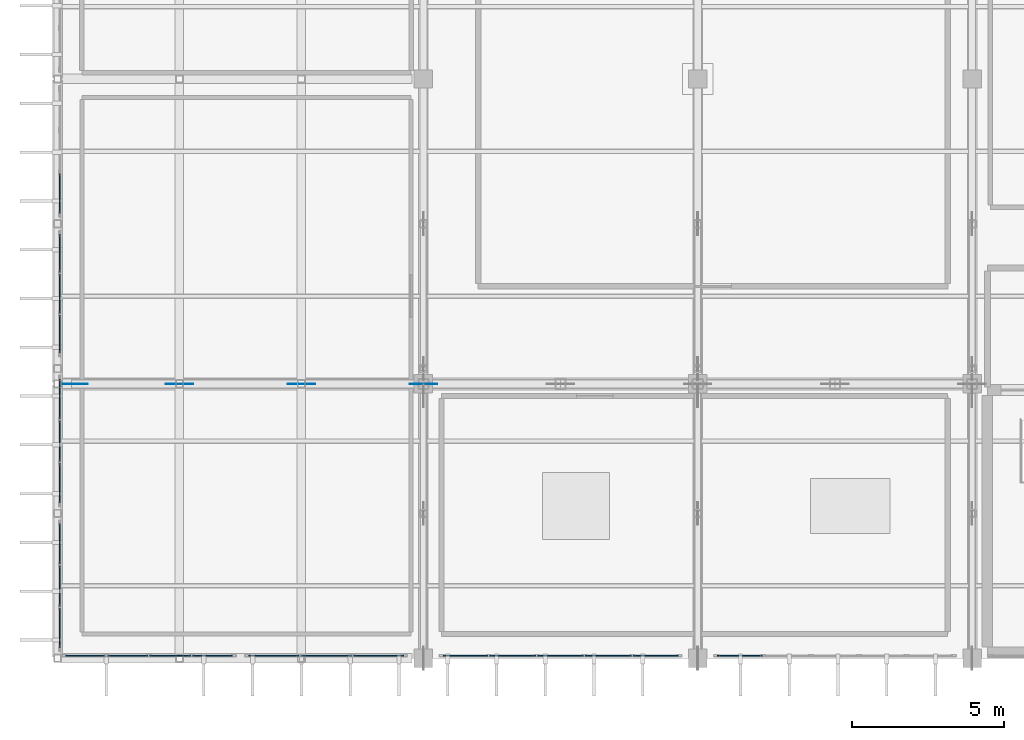
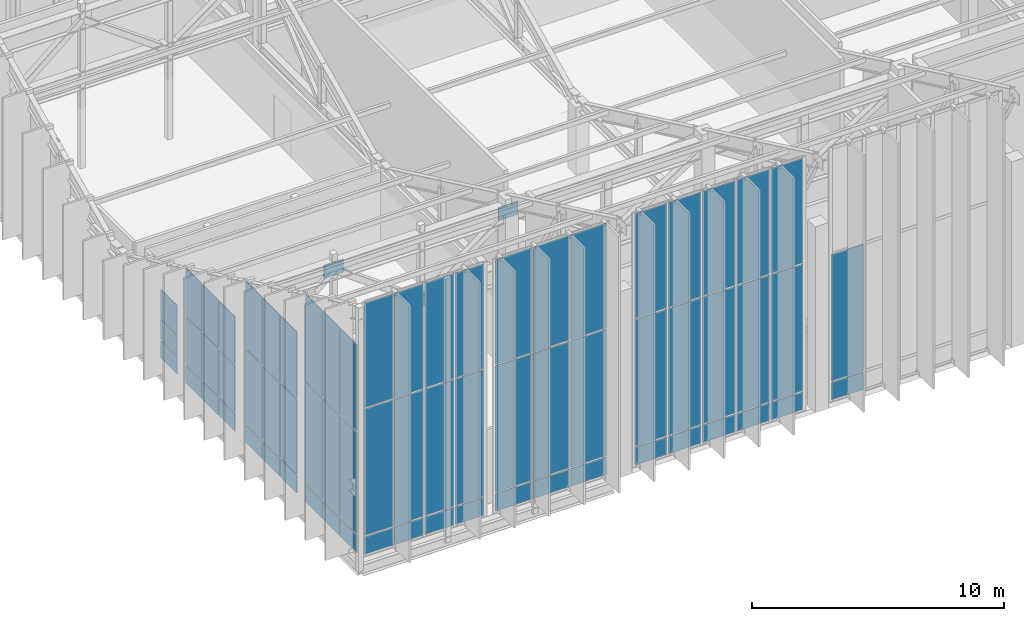
# One storey, part 48 of 68: 72 plates, 8 elements without a shape of their own.
"""IFC4 building model written with IfcOpenShell, lengths in metres."""

from ifc_helpers import new_model, si_unit, direction, frame, origin, origin_2d, place, context, subcontext, project, spatial, rectangle, extrude, material, layer, layer_set, type_object, element, aggregate, save


model = new_model("IFC4")

# Units and contexts
model_context = context("Model", 3, precision=1e-05, world=origin(), true_north=direction((0.0, 1.0)))
body_context = subcontext(model_context, "Body", "Model", "MODEL_VIEW")
ifc_project = project(units=[si_unit("LENGTHUNIT", "METRE"), si_unit("AREAUNIT", "SQUARE_METRE"), si_unit("VOLUMEUNIT", "CUBIC_METRE"), si_unit("PLANEANGLEUNIT", "RADIAN"), si_unit("MASSUNIT", "GRAM", prefix="KILO")], contexts=[model_context])

# Site, building, storey
site_placement = place(None, origin())
site = spatial("IfcSite", under=ifc_project, at=site_placement, CompositionType="ELEMENT")
building_placement = place(site_placement, origin())
building = spatial("IfcBuilding", under=site, at=building_placement, Name="Miravela Opera House", CompositionType="ELEMENT")
storey_placement = place(building_placement, frame((0.0, 0.0, 21.760009765625)))
storey = spatial("IfcBuildingStorey", under=building, at=storey_placement, Name="L05", CompositionType="ELEMENT", Elevation=21.760009765625)

# Curtain wall, plates
ifc_material_1 = material(Name="Anodised architectural bronze aluminium 6063-T6", Category="aluminium")
curtain_wall_type = type_object("IfcCurtainWallType", Name="ARC-CW-03", PredefinedType="NOTDEFINED", material=ifc_material_1)
curtain_wall_1_placement = place(storey_placement, origin())
curtain_wall_1 = element("IfcCurtainWall", 1, at=curtain_wall_1_placement, inside=storey, type_object=curtain_wall_type, Name="Cantilever West Wrapper Glazing B1 CW-L05-047", PredefinedType="NOTDEFINED")
ifc_material_2 = material(Name="Triple-glazed acoustic laminated low-E glass", Category="glass")
ifc_layer_1 = layer(ifc_material_2, 0.035888671875)
ifc_layer_set_1 = layer_set([ifc_layer_1])
plate_type_1 = type_object("IfcPlateType", Name="ARC-CWP-36", PredefinedType="CURTAIN_PANEL", material=ifc_layer_set_1)
plate_1_placement = place(storey_placement, frame((15.080078125, 37.99462890625, 0.06494140625), z_axis=(0.0, 0.0, 1.0), x_axis=(0.0, 1.0, 0.0)))
plate_1 = element("IfcPlate", 2, at=plate_1_placement, type_object=plate_type_1, Name="CW-03 panel 1.1", PredefinedType="CURTAIN_PANEL", context=body_context, shape_type="SweptSolid", body=[
    extrude(rectangle(XDim=1.299072265625, YDim=0.035888671875, at=origin_2d()), origin(), (0.0, 0.0, 1.0), 0.8525390625),
])
plate_2_placement = place(storey_placement, frame((15.080078125, 37.99462890625, 0.982421875), z_axis=(0.0, 0.0, 1.0), x_axis=(0.0, 1.0, 0.0)))
plate_2 = element("IfcPlate", 3, at=plate_2_placement, type_object=plate_type_1, Name="CW-03 panel 1.2", PredefinedType="CURTAIN_PANEL", context=body_context, shape_type="SweptSolid", body=[
    extrude(rectangle(XDim=1.299072265625, YDim=0.035888671875, at=origin_2d()), origin(), (0.0, 0.0, 1.0), 4.896728515625),
])
plate_3_placement = place(storey_placement, frame((15.080078125, 37.99462890625, 5.9443359375), z_axis=(0.0, 0.0, 1.0), x_axis=(0.0, 1.0, 0.0)))
plate_3 = element("IfcPlate", 4, at=plate_3_placement, type_object=plate_type_1, Name="CW-03 panel 1.3", PredefinedType="CURTAIN_PANEL", context=body_context, shape_type="SweptSolid", body=[
    extrude(rectangle(XDim=1.299072265625, YDim=0.035888671875, at=origin_2d()), origin(), (0.0, 0.0, 1.0), 4.183349609375),
])
plate_4_placement = place(storey_placement, frame((15.080078125, 39.375, 0.06494140625), z_axis=(0.0, 0.0, 1.0), x_axis=(0.0, 1.0, 0.0)))
plate_4 = element("IfcPlate", 5, at=plate_4_placement, type_object=plate_type_1, Name="CW-03 panel 2.1", PredefinedType="CURTAIN_PANEL", context=body_context, shape_type="SweptSolid", body=[
    extrude(rectangle(XDim=1.331787109375, YDim=0.035888671875, at=origin_2d()), origin(), (0.0, 0.0, 1.0), 0.8525390625),
])
plate_5_placement = place(storey_placement, frame((15.080078125, 39.375, 0.982421875), z_axis=(0.0, 0.0, 1.0), x_axis=(0.0, 1.0, 0.0)))
plate_5 = element("IfcPlate", 6, at=plate_5_placement, type_object=plate_type_1, Name="CW-03 panel 2.2", PredefinedType="CURTAIN_PANEL", context=body_context, shape_type="SweptSolid", body=[
    extrude(rectangle(XDim=1.331787109375, YDim=0.035888671875, at=origin_2d()), origin(), (0.0, 0.0, 1.0), 4.896728515625),
])
plate_6_placement = place(storey_placement, frame((15.080078125, 39.375, 5.9443359375), z_axis=(0.0, 0.0, 1.0), x_axis=(0.0, 1.0, 0.0)))
plate_6 = element("IfcPlate", 7, at=plate_6_placement, type_object=plate_type_1, Name="CW-03 panel 2.3", PredefinedType="CURTAIN_PANEL", context=body_context, shape_type="SweptSolid", body=[
    extrude(rectangle(XDim=1.331787109375, YDim=0.035888671875, at=origin_2d()), origin(), (0.0, 0.0, 1.0), 4.183349609375),
])
plate_7_placement = place(storey_placement, frame((15.080078125, 40.75537109375, 0.06494140625), z_axis=(0.0, 0.0, 1.0), x_axis=(0.0, 1.0, 0.0)))
plate_7 = element("IfcPlate", 8, at=plate_7_placement, type_object=plate_type_1, Name="CW-03 panel 3.1", PredefinedType="CURTAIN_PANEL", context=body_context, shape_type="SweptSolid", body=[
    extrude(rectangle(XDim=1.299072265625, YDim=0.035888671875, at=origin_2d()), origin(), (0.0, 0.0, 1.0), 0.8525390625),
])
plate_8_placement = place(storey_placement, frame((15.080078125, 40.75537109375, 0.982421875), z_axis=(0.0, 0.0, 1.0), x_axis=(0.0, 1.0, 0.0)))
plate_8 = element("IfcPlate", 9, at=plate_8_placement, type_object=plate_type_1, Name="CW-03 panel 3.2", PredefinedType="CURTAIN_PANEL", context=body_context, shape_type="SweptSolid", body=[
    extrude(rectangle(XDim=1.299072265625, YDim=0.035888671875, at=origin_2d()), origin(), (0.0, 0.0, 1.0), 4.896728515625),
])
plate_9_placement = place(storey_placement, frame((15.080078125, 40.75537109375, 5.9443359375), z_axis=(0.0, 0.0, 1.0), x_axis=(0.0, 1.0, 0.0)))
plate_9 = element("IfcPlate", 10, at=plate_9_placement, type_object=plate_type_1, Name="CW-03 panel 3.3", PredefinedType="CURTAIN_PANEL", context=body_context, shape_type="SweptSolid", body=[
    extrude(rectangle(XDim=1.299072265625, YDim=0.035888671875, at=origin_2d()), origin(), (0.0, 0.0, 1.0), 4.183349609375),
])
aggregate(curtain_wall_1, [plate_1, plate_2, plate_3, plate_4, plate_5, plate_6, plate_7, plate_8, plate_9])

curtain_wall_2_placement = place(storey_placement, origin())
curtain_wall_2 = element("IfcCurtainWall", 11, at=curtain_wall_2_placement, inside=storey, type_object=curtain_wall_type, Name="Cantilever West Wrapper Glazing B2 CW-L05-048", PredefinedType="NOTDEFINED")
plate_10_placement = place(storey_placement, frame((15.080078125, 42.74462890625, 0.06494140625), z_axis=(0.0, 0.0, 1.0), x_axis=(0.0, 1.0, 0.0)))
plate_10 = element("IfcPlate", 12, at=plate_10_placement, type_object=plate_type_1, Name="CW-03 panel 1.1", PredefinedType="CURTAIN_PANEL", context=body_context, shape_type="SweptSolid", body=[
    extrude(rectangle(XDim=1.299072265625, YDim=0.035888671875, at=origin_2d()), origin(), (0.0, 0.0, 1.0), 0.8525390625),
])
plate_11_placement = place(storey_placement, frame((15.080078125, 42.74462890625, 0.982421875), z_axis=(0.0, 0.0, 1.0), x_axis=(0.0, 1.0, 0.0)))
plate_11 = element("IfcPlate", 13, at=plate_11_placement, type_object=plate_type_1, Name="CW-03 panel 1.2", PredefinedType="CURTAIN_PANEL", context=body_context, shape_type="SweptSolid", body=[
    extrude(rectangle(XDim=1.299072265625, YDim=0.035888671875, at=origin_2d()), origin(), (0.0, 0.0, 1.0), 3.591796875),
])
plate_12_placement = place(storey_placement, frame((15.080078125, 42.74462890625, 4.63916015625), z_axis=(0.0, 0.0, 1.0), x_axis=(0.0, 1.0, 0.0)))
plate_12 = element("IfcPlate", 14, at=plate_12_placement, type_object=plate_type_1, Name="CW-03 panel 1.3", PredefinedType="CURTAIN_PANEL", context=body_context, shape_type="SweptSolid", body=[
    extrude(rectangle(XDim=1.299072265625, YDim=0.035888671875, at=origin_2d()), origin(), (0.0, 0.0, 1.0), 3.23828125),
])
plate_13_placement = place(storey_placement, frame((15.080078125, 44.125, 0.06494140625), z_axis=(0.0, 0.0, 1.0), x_axis=(0.0, 1.0, 0.0)))
plate_13 = element("IfcPlate", 15, at=plate_13_placement, type_object=plate_type_1, Name="CW-03 panel 2.1", PredefinedType="CURTAIN_PANEL", context=body_context, shape_type="SweptSolid", body=[
    extrude(rectangle(XDim=1.331787109375, YDim=0.035888671875, at=origin_2d()), origin(), (0.0, 0.0, 1.0), 0.8525390625),
])
plate_14_placement = place(storey_placement, frame((15.080078125, 44.125, 0.982421875), z_axis=(0.0, 0.0, 1.0), x_axis=(0.0, 1.0, 0.0)))
plate_14 = element("IfcPlate", 16, at=plate_14_placement, type_object=plate_type_1, Name="CW-03 panel 2.2", PredefinedType="CURTAIN_PANEL", context=body_context, shape_type="SweptSolid", body=[
    extrude(rectangle(XDim=1.331787109375, YDim=0.035888671875, at=origin_2d()), origin(), (0.0, 0.0, 1.0), 3.591796875),
])
plate_15_placement = place(storey_placement, frame((15.080078125, 44.125, 4.63916015625), z_axis=(0.0, 0.0, 1.0), x_axis=(0.0, 1.0, 0.0)))
plate_15 = element("IfcPlate", 17, at=plate_15_placement, type_object=plate_type_1, Name="CW-03 panel 2.3", PredefinedType="CURTAIN_PANEL", context=body_context, shape_type="SweptSolid", body=[
    extrude(rectangle(XDim=1.331787109375, YDim=0.035888671875, at=origin_2d()), origin(), (0.0, 0.0, 1.0), 3.23828125),
])
plate_16_placement = place(storey_placement, frame((15.080078125, 45.50537109375, 0.06494140625), z_axis=(0.0, 0.0, 1.0), x_axis=(0.0, 1.0, 0.0)))
plate_16 = element("IfcPlate", 18, at=plate_16_placement, type_object=plate_type_1, Name="CW-03 panel 3.1", PredefinedType="CURTAIN_PANEL", context=body_context, shape_type="SweptSolid", body=[
    extrude(rectangle(XDim=1.299072265625, YDim=0.035888671875, at=origin_2d()), origin(), (0.0, 0.0, 1.0), 0.8525390625),
])
plate_17_placement = place(storey_placement, frame((15.080078125, 45.50537109375, 0.982421875), z_axis=(0.0, 0.0, 1.0), x_axis=(0.0, 1.0, 0.0)))
plate_17 = element("IfcPlate", 19, at=plate_17_placement, type_object=plate_type_1, Name="CW-03 panel 3.2", PredefinedType="CURTAIN_PANEL", context=body_context, shape_type="SweptSolid", body=[
    extrude(rectangle(XDim=1.299072265625, YDim=0.035888671875, at=origin_2d()), origin(), (0.0, 0.0, 1.0), 3.591796875),
])
plate_18_placement = place(storey_placement, frame((15.080078125, 45.50537109375, 4.63916015625), z_axis=(0.0, 0.0, 1.0), x_axis=(0.0, 1.0, 0.0)))
plate_18 = element("IfcPlate", 20, at=plate_18_placement, type_object=plate_type_1, Name="CW-03 panel 3.3", PredefinedType="CURTAIN_PANEL", context=body_context, shape_type="SweptSolid", body=[
    extrude(rectangle(XDim=1.299072265625, YDim=0.035888671875, at=origin_2d()), origin(), (0.0, 0.0, 1.0), 3.23828125),
])
aggregate(curtain_wall_2, [plate_10, plate_11, plate_12, plate_13, plate_14, plate_15, plate_16, plate_17, plate_18])

curtain_wall_3_placement = place(storey_placement, origin())
curtain_wall_3 = element("IfcCurtainWall", 21, at=curtain_wall_3_placement, inside=storey, type_object=curtain_wall_type, Name="Cantilever West Wrapper Glazing B3 CW-L05-049", PredefinedType="NOTDEFINED")
plate_19_placement = place(storey_placement, frame((15.080078125, 47.63623046875, 0.06494140625), z_axis=(0.0, 0.0, 1.0), x_axis=(0.0, 1.0, 0.0)))
plate_19 = element("IfcPlate", 22, at=plate_19_placement, type_object=plate_type_1, Name="CW-03 panel 1.1", PredefinedType="CURTAIN_PANEL", context=body_context, shape_type="SweptSolid", body=[
    extrude(rectangle(XDim=1.242431640625, YDim=0.035888671875, at=origin_2d()), origin(), (0.0, 0.0, 1.0), 0.8525390625),
])
plate_20_placement = place(storey_placement, frame((15.080078125, 47.63623046875, 0.982421875), z_axis=(0.0, 0.0, 1.0), x_axis=(0.0, 1.0, 0.0)))
plate_20 = element("IfcPlate", 23, at=plate_20_placement, type_object=plate_type_1, Name="CW-03 panel 1.2", PredefinedType="CURTAIN_PANEL", context=body_context, shape_type="SweptSolid", body=[
    extrude(rectangle(XDim=1.242431640625, YDim=0.035888671875, at=origin_2d()), origin(), (0.0, 0.0, 1.0), 2.28662109375),
])
plate_21_placement = place(storey_placement, frame((15.080078125, 47.63623046875, 3.334228515625), z_axis=(0.0, 0.0, 1.0), x_axis=(0.0, 1.0, 0.0)))
plate_21 = element("IfcPlate", 24, at=plate_21_placement, type_object=plate_type_1, Name="CW-03 panel 1.3", PredefinedType="CURTAIN_PANEL", context=body_context, shape_type="SweptSolid", body=[
    extrude(rectangle(XDim=1.242431640625, YDim=0.035888671875, at=origin_2d()), origin(), (0.0, 0.0, 1.0), 2.29345703125),
])
plate_22_placement = place(storey_placement, frame((15.080078125, 48.9599609375, 0.06494140625), z_axis=(0.0, 0.0, 1.0), x_axis=(0.0, 1.0, 0.0)))
plate_22 = element("IfcPlate", 25, at=plate_22_placement, type_object=plate_type_1, Name="CW-03 panel 2.1", PredefinedType="CURTAIN_PANEL", context=body_context, shape_type="SweptSolid", body=[
    extrude(rectangle(XDim=1.27490234375, YDim=0.035888671875, at=origin_2d()), origin(), (0.0, 0.0, 1.0), 0.8525390625),
])
plate_23_placement = place(storey_placement, frame((15.080078125, 48.9599609375, 0.982421875), z_axis=(0.0, 0.0, 1.0), x_axis=(0.0, 1.0, 0.0)))
plate_23 = element("IfcPlate", 26, at=plate_23_placement, type_object=plate_type_1, Name="CW-03 panel 2.2", PredefinedType="CURTAIN_PANEL", context=body_context, shape_type="SweptSolid", body=[
    extrude(rectangle(XDim=1.27490234375, YDim=0.035888671875, at=origin_2d()), origin(), (0.0, 0.0, 1.0), 2.28662109375),
])
plate_24_placement = place(storey_placement, frame((15.080078125, 48.9599609375, 3.334228515625), z_axis=(0.0, 0.0, 1.0), x_axis=(0.0, 1.0, 0.0)))
plate_24 = element("IfcPlate", 27, at=plate_24_placement, type_object=plate_type_1, Name="CW-03 panel 2.3", PredefinedType="CURTAIN_PANEL", context=body_context, shape_type="SweptSolid", body=[
    extrude(rectangle(XDim=1.27490234375, YDim=0.035888671875, at=origin_2d()), origin(), (0.0, 0.0, 1.0), 2.29345703125),
])
plate_25_placement = place(storey_placement, frame((15.080078125, 50.28369140625, 0.06494140625), z_axis=(0.0, 0.0, 1.0), x_axis=(0.0, 1.0, 0.0)))
plate_25 = element("IfcPlate", 28, at=plate_25_placement, type_object=plate_type_1, Name="CW-03 panel 3.1", PredefinedType="CURTAIN_PANEL", context=body_context, shape_type="SweptSolid", body=[
    extrude(rectangle(XDim=1.242431640625, YDim=0.035888671875, at=origin_2d()), origin(), (0.0, 0.0, 1.0), 0.8525390625),
])
plate_26_placement = place(storey_placement, frame((15.080078125, 50.28369140625, 0.982421875), z_axis=(0.0, 0.0, 1.0), x_axis=(0.0, 1.0, 0.0)))
plate_26 = element("IfcPlate", 29, at=plate_26_placement, type_object=plate_type_1, Name="CW-03 panel 3.2", PredefinedType="CURTAIN_PANEL", context=body_context, shape_type="SweptSolid", body=[
    extrude(rectangle(XDim=1.242431640625, YDim=0.035888671875, at=origin_2d()), origin(), (0.0, 0.0, 1.0), 2.28662109375),
])
plate_27_placement = place(storey_placement, frame((15.080078125, 50.28369140625, 3.334228515625), z_axis=(0.0, 0.0, 1.0), x_axis=(0.0, 1.0, 0.0)))
plate_27 = element("IfcPlate", 30, at=plate_27_placement, type_object=plate_type_1, Name="CW-03 panel 3.3", PredefinedType="CURTAIN_PANEL", context=body_context, shape_type="SweptSolid", body=[
    extrude(rectangle(XDim=1.242431640625, YDim=0.035888671875, at=origin_2d()), origin(), (0.0, 0.0, 1.0), 2.29345703125),
])
aggregate(curtain_wall_3, [plate_19, plate_20, plate_21, plate_22, plate_23, plate_24, plate_25, plate_26, plate_27])

curtain_wall_4_placement = place(storey_placement, origin())
curtain_wall_4 = element("IfcCurtainWall", 31, at=curtain_wall_4_placement, inside=storey, type_object=curtain_wall_type, Name="Cantilever West Wrapper Glazing B4 CW-L05-050", PredefinedType="NOTDEFINED")
plate_28_placement = place(storey_placement, frame((15.080078125, 52.24462890625, 0.06494140625), z_axis=(0.0, 0.0, 1.0), x_axis=(0.0, 1.0, 0.0)))
plate_28 = element("IfcPlate", 32, at=plate_28_placement, type_object=plate_type_1, Name="CW-03 panel 1.1", PredefinedType="CURTAIN_PANEL", context=body_context, shape_type="SweptSolid", body=[
    extrude(rectangle(XDim=1.299072265625, YDim=0.035888671875, at=origin_2d()), origin(), (0.0, 0.0, 1.0), 0.8525390625),
])
plate_29_placement = place(storey_placement, frame((15.080078125, 52.24462890625, 0.982421875), z_axis=(0.0, 0.0, 1.0), x_axis=(0.0, 1.0, 0.0)))
plate_29 = element("IfcPlate", 33, at=plate_29_placement, type_object=plate_type_1, Name="CW-03 panel 1.2", PredefinedType="CURTAIN_PANEL", context=body_context, shape_type="SweptSolid", body=[
    extrude(rectangle(XDim=1.299072265625, YDim=0.035888671875, at=origin_2d()), origin(), (0.0, 0.0, 1.0), 0.981689453125),
])
plate_30_placement = place(storey_placement, frame((15.080078125, 52.24462890625, 2.029296875), z_axis=(0.0, 0.0, 1.0), x_axis=(0.0, 1.0, 0.0)))
plate_30 = element("IfcPlate", 34, at=plate_30_placement, type_object=plate_type_1, Name="CW-03 panel 1.3", PredefinedType="CURTAIN_PANEL", context=body_context, shape_type="SweptSolid", body=[
    extrude(rectangle(XDim=1.299072265625, YDim=0.035888671875, at=origin_2d()), origin(), (0.0, 0.0, 1.0), 1.348388671875),
])
aggregate(curtain_wall_4, [plate_28, plate_29, plate_30])

curtain_wall_5_placement = place(storey_placement, origin())
curtain_wall_5 = element("IfcCurtainWall", 35, at=curtain_wall_5_placement, inside=storey, type_object=curtain_wall_type, Name="Auditorium South Wrapper Glazing CW-L05-056", PredefinedType="NOTDEFINED")
plate_31_placement = place(storey_placement, frame((15.916259765625, 37.080078125, 0.06494140625), z_axis=(0.0, 0.0, 1.0), x_axis=(1.0, 0.0, 0.0)))
plate_31 = element("IfcPlate", 36, at=plate_31_placement, type_object=plate_type_1, Name="CW-03 panel 1.1", PredefinedType="CURTAIN_PANEL", context=body_context, shape_type="SweptSolid", body=[
    extrude(rectangle(XDim=1.302490234375, YDim=0.035888671875, at=origin_2d()), origin(), (0.0, 0.0, 1.0), 0.8525390625),
])
plate_32_placement = place(storey_placement, frame((15.916259765625, 37.080078125, 0.982421875), z_axis=(0.0, 0.0, 1.0), x_axis=(1.0, 0.0, 0.0)))
plate_32 = element("IfcPlate", 37, at=plate_32_placement, type_object=plate_type_1, Name="CW-03 panel 1.2", PredefinedType="CURTAIN_PANEL", context=body_context, shape_type="SweptSolid", body=[
    extrude(rectangle(XDim=1.302490234375, YDim=0.035888671875, at=origin_2d()), origin(), (0.0, 0.0, 1.0), 6.124755859375),
])
plate_33_placement = place(storey_placement, frame((15.916259765625, 37.080078125, 7.17236328125), z_axis=(0.0, 0.0, 1.0), x_axis=(1.0, 0.0, 0.0)))
plate_33 = element("IfcPlate", 38, at=plate_33_placement, type_object=plate_type_1, Name="CW-03 panel 1.3", PredefinedType="CURTAIN_PANEL", context=body_context, shape_type="SweptSolid", body=[
    extrude(rectangle(XDim=1.302490234375, YDim=0.035888671875, at=origin_2d()), origin(), (0.0, 0.0, 1.0), 5.07275390625),
])
plate_34_placement = place(storey_placement, frame((17.300048828125, 37.080078125, 0.06494140625), z_axis=(0.0, 0.0, 1.0), x_axis=(1.0, 0.0, 0.0)))
plate_34 = element("IfcPlate", 39, at=plate_34_placement, type_object=plate_type_1, Name="CW-03 panel 2.1", PredefinedType="CURTAIN_PANEL", context=body_context, shape_type="SweptSolid", body=[
    extrude(rectangle(XDim=1.3349609375, YDim=0.035888671875, at=origin_2d()), origin(), (0.0, 0.0, 1.0), 0.8525390625),
])
plate_35_placement = place(storey_placement, frame((17.300048828125, 37.080078125, 0.982421875), z_axis=(0.0, 0.0, 1.0), x_axis=(1.0, 0.0, 0.0)))
plate_35 = element("IfcPlate", 40, at=plate_35_placement, type_object=plate_type_1, Name="CW-03 panel 2.2", PredefinedType="CURTAIN_PANEL", context=body_context, shape_type="SweptSolid", body=[
    extrude(rectangle(XDim=1.3349609375, YDim=0.035888671875, at=origin_2d()), origin(), (0.0, 0.0, 1.0), 6.124755859375),
])
plate_36_placement = place(storey_placement, frame((17.300048828125, 37.080078125, 7.17236328125), z_axis=(0.0, 0.0, 1.0), x_axis=(1.0, 0.0, 0.0)))
plate_36 = element("IfcPlate", 41, at=plate_36_placement, type_object=plate_type_1, Name="CW-03 panel 2.3", PredefinedType="CURTAIN_PANEL", context=body_context, shape_type="SweptSolid", body=[
    extrude(rectangle(XDim=1.3349609375, YDim=0.035888671875, at=origin_2d()), origin(), (0.0, 0.0, 1.0), 5.07275390625),
])
plate_37_placement = place(storey_placement, frame((18.699951171875, 37.080078125, 0.06494140625), z_axis=(0.0, 0.0, 1.0), x_axis=(1.0, 0.0, 0.0)))
plate_37 = element("IfcPlate", 42, at=plate_37_placement, type_object=plate_type_1, Name="CW-03 panel 3.1", PredefinedType="CURTAIN_PANEL", context=body_context, shape_type="SweptSolid", body=[
    extrude(rectangle(XDim=1.3349609375, YDim=0.035888671875, at=origin_2d()), origin(), (0.0, 0.0, 1.0), 0.8525390625),
])
plate_38_placement = place(storey_placement, frame((18.699951171875, 37.080078125, 0.982421875), z_axis=(0.0, 0.0, 1.0), x_axis=(1.0, 0.0, 0.0)))
plate_38 = element("IfcPlate", 43, at=plate_38_placement, type_object=plate_type_1, Name="CW-03 panel 3.2", PredefinedType="CURTAIN_PANEL", context=body_context, shape_type="SweptSolid", body=[
    extrude(rectangle(XDim=1.3349609375, YDim=0.035888671875, at=origin_2d()), origin(), (0.0, 0.0, 1.0), 6.124755859375),
])
plate_39_placement = place(storey_placement, frame((18.699951171875, 37.080078125, 7.17236328125), z_axis=(0.0, 0.0, 1.0), x_axis=(1.0, 0.0, 0.0)))
plate_39 = element("IfcPlate", 44, at=plate_39_placement, type_object=plate_type_1, Name="CW-03 panel 3.3", PredefinedType="CURTAIN_PANEL", context=body_context, shape_type="SweptSolid", body=[
    extrude(rectangle(XDim=1.3349609375, YDim=0.035888671875, at=origin_2d()), origin(), (0.0, 0.0, 1.0), 5.07275390625),
])
plate_40_placement = place(storey_placement, frame((20.083740234375, 37.080078125, 0.06494140625), z_axis=(0.0, 0.0, 1.0), x_axis=(1.0, 0.0, 0.0)))
plate_40 = element("IfcPlate", 45, at=plate_40_placement, type_object=plate_type_1, Name="CW-03 panel 4.1", PredefinedType="CURTAIN_PANEL", context=body_context, shape_type="SweptSolid", body=[
    extrude(rectangle(XDim=1.302490234375, YDim=0.035888671875, at=origin_2d()), origin(), (0.0, 0.0, 1.0), 0.8525390625),
])
plate_41_placement = place(storey_placement, frame((20.083740234375, 37.080078125, 0.982421875), z_axis=(0.0, 0.0, 1.0), x_axis=(1.0, 0.0, 0.0)))
plate_41 = element("IfcPlate", 46, at=plate_41_placement, type_object=plate_type_1, Name="CW-03 panel 4.2", PredefinedType="CURTAIN_PANEL", context=body_context, shape_type="SweptSolid", body=[
    extrude(rectangle(XDim=1.302490234375, YDim=0.035888671875, at=origin_2d()), origin(), (0.0, 0.0, 1.0), 6.124755859375),
])
plate_42_placement = place(storey_placement, frame((20.083740234375, 37.080078125, 7.17236328125), z_axis=(0.0, 0.0, 1.0), x_axis=(1.0, 0.0, 0.0)))
plate_42 = element("IfcPlate", 47, at=plate_42_placement, type_object=plate_type_1, Name="CW-03 panel 4.3", PredefinedType="CURTAIN_PANEL", context=body_context, shape_type="SweptSolid", body=[
    extrude(rectangle(XDim=1.302490234375, YDim=0.035888671875, at=origin_2d()), origin(), (0.0, 0.0, 1.0), 5.07275390625),
])
aggregate(curtain_wall_5, [plate_31, plate_32, plate_33, plate_34, plate_35, plate_36, plate_37, plate_38, plate_39, plate_40, plate_41, plate_42])

curtain_wall_6_placement = place(storey_placement, origin())
curtain_wall_6 = element("IfcCurtainWall", 48, at=curtain_wall_6_placement, inside=storey, type_object=curtain_wall_type, Name="Auditorium South Wrapper Glazing CW-L05-058", PredefinedType="NOTDEFINED")
plate_43_placement = place(storey_placement, frame((22.086181640625, 37.080078125, 0.06494140625), z_axis=(0.0, 0.0, 1.0), x_axis=(1.0, 0.0, 0.0)))
plate_43 = element("IfcPlate", 49, at=plate_43_placement, type_object=plate_type_1, Name="CW-03 panel 1.1", PredefinedType="CURTAIN_PANEL", context=body_context, shape_type="SweptSolid", body=[
    extrude(rectangle(XDim=1.642578125, YDim=0.035888671875, at=origin_2d()), origin(), (0.0, 0.0, 1.0), 0.8525390625),
])
plate_44_placement = place(storey_placement, frame((22.086181640625, 37.080078125, 0.982421875), z_axis=(0.0, 0.0, 1.0), x_axis=(1.0, 0.0, 0.0)))
plate_44 = element("IfcPlate", 50, at=plate_44_placement, type_object=plate_type_1, Name="CW-03 panel 1.2", PredefinedType="CURTAIN_PANEL", context=body_context, shape_type="SweptSolid", body=[
    extrude(rectangle(XDim=1.642578125, YDim=0.035888671875, at=origin_2d()), origin(), (0.0, 0.0, 1.0), 6.124755859375),
])
plate_45_placement = place(storey_placement, frame((22.086181640625, 37.080078125, 7.17236328125), z_axis=(0.0, 0.0, 1.0), x_axis=(1.0, 0.0, 0.0)))
plate_45 = element("IfcPlate", 51, at=plate_45_placement, type_object=plate_type_1, Name="CW-03 panel 1.3", PredefinedType="CURTAIN_PANEL", context=body_context, shape_type="SweptSolid", body=[
    extrude(rectangle(XDim=1.642578125, YDim=0.035888671875, at=origin_2d()), origin(), (0.0, 0.0, 1.0), 5.07275390625),
])
plate_46_placement = place(storey_placement, frame((23.81005859375, 37.080078125, 0.06494140625), z_axis=(0.0, 0.0, 1.0), x_axis=(1.0, 0.0, 0.0)))
plate_46 = element("IfcPlate", 52, at=plate_46_placement, type_object=plate_type_1, Name="CW-03 panel 2.1", PredefinedType="CURTAIN_PANEL", context=body_context, shape_type="SweptSolid", body=[
    extrude(rectangle(XDim=1.675048828125, YDim=0.035888671875, at=origin_2d()), origin(), (0.0, 0.0, 1.0), 0.8525390625),
])
plate_47_placement = place(storey_placement, frame((23.81005859375, 37.080078125, 0.982421875), z_axis=(0.0, 0.0, 1.0), x_axis=(1.0, 0.0, 0.0)))
plate_47 = element("IfcPlate", 53, at=plate_47_placement, type_object=plate_type_1, Name="CW-03 panel 2.2", PredefinedType="CURTAIN_PANEL", context=body_context, shape_type="SweptSolid", body=[
    extrude(rectangle(XDim=1.675048828125, YDim=0.035888671875, at=origin_2d()), origin(), (0.0, 0.0, 1.0), 6.124755859375),
])
plate_48_placement = place(storey_placement, frame((23.81005859375, 37.080078125, 7.17236328125), z_axis=(0.0, 0.0, 1.0), x_axis=(1.0, 0.0, 0.0)))
plate_48 = element("IfcPlate", 54, at=plate_48_placement, type_object=plate_type_1, Name="CW-03 panel 2.3", PredefinedType="CURTAIN_PANEL", context=body_context, shape_type="SweptSolid", body=[
    extrude(rectangle(XDim=1.675048828125, YDim=0.035888671875, at=origin_2d()), origin(), (0.0, 0.0, 1.0), 5.07275390625),
])
plate_49_placement = place(storey_placement, frame((25.53369140625, 37.080078125, 0.06494140625), z_axis=(0.0, 0.0, 1.0), x_axis=(1.0, 0.0, 0.0)))
plate_49 = element("IfcPlate", 55, at=plate_49_placement, type_object=plate_type_1, Name="CW-03 panel 3.1", PredefinedType="CURTAIN_PANEL", context=body_context, shape_type="SweptSolid", body=[
    extrude(rectangle(XDim=1.642578125, YDim=0.035888671875, at=origin_2d()), origin(), (0.0, 0.0, 1.0), 0.8525390625),
])
plate_50_placement = place(storey_placement, frame((25.53369140625, 37.080078125, 0.982421875), z_axis=(0.0, 0.0, 1.0), x_axis=(1.0, 0.0, 0.0)))
plate_50 = element("IfcPlate", 56, at=plate_50_placement, type_object=plate_type_1, Name="CW-03 panel 3.2", PredefinedType="CURTAIN_PANEL", context=body_context, shape_type="SweptSolid", body=[
    extrude(rectangle(XDim=1.642578125, YDim=0.035888671875, at=origin_2d()), origin(), (0.0, 0.0, 1.0), 6.124755859375),
])
plate_51_placement = place(storey_placement, frame((25.53369140625, 37.080078125, 7.17236328125), z_axis=(0.0, 0.0, 1.0), x_axis=(1.0, 0.0, 0.0)))
plate_51 = element("IfcPlate", 57, at=plate_51_placement, type_object=plate_type_1, Name="CW-03 panel 3.3", PredefinedType="CURTAIN_PANEL", context=body_context, shape_type="SweptSolid", body=[
    extrude(rectangle(XDim=1.642578125, YDim=0.035888671875, at=origin_2d()), origin(), (0.0, 0.0, 1.0), 5.07275390625),
])
aggregate(curtain_wall_6, [plate_43, plate_44, plate_45, plate_46, plate_47, plate_48, plate_49, plate_50, plate_51])

curtain_wall_7_placement = place(storey_placement, origin())
curtain_wall_7 = element("IfcCurtainWall", 58, at=curtain_wall_7_placement, inside=storey, type_object=curtain_wall_type, Name="Auditorium South Wrapper Glazing CW-L05-060", PredefinedType="NOTDEFINED")
plate_52_placement = place(storey_placement, frame((28.38037109375, 37.080078125, 0.06494140625), z_axis=(0.0, 0.0, 1.0), x_axis=(1.0, 0.0, 0.0)))
plate_52 = element("IfcPlate", 59, at=plate_52_placement, type_object=plate_type_1, Name="CW-03 panel 1.1", PredefinedType="CURTAIN_PANEL", context=body_context, shape_type="SweptSolid", body=[
    extrude(rectangle(XDim=1.470458984375, YDim=0.035888671875, at=origin_2d()), origin(), (0.0, 0.0, 1.0), 0.8525390625),
])
plate_53_placement = place(storey_placement, frame((28.38037109375, 37.080078125, 0.982421875), z_axis=(0.0, 0.0, 1.0), x_axis=(1.0, 0.0, 0.0)))
plate_53 = element("IfcPlate", 60, at=plate_53_placement, type_object=plate_type_1, Name="CW-03 panel 1.2", PredefinedType="CURTAIN_PANEL", context=body_context, shape_type="SweptSolid", body=[
    extrude(rectangle(XDim=1.470458984375, YDim=0.035888671875, at=origin_2d()), origin(), (0.0, 0.0, 1.0), 6.124755859375),
])
plate_54_placement = place(storey_placement, frame((28.38037109375, 37.080078125, 7.17236328125), z_axis=(0.0, 0.0, 1.0), x_axis=(1.0, 0.0, 0.0)))
plate_54 = element("IfcPlate", 61, at=plate_54_placement, type_object=plate_type_1, Name="CW-03 panel 1.3", PredefinedType="CURTAIN_PANEL", context=body_context, shape_type="SweptSolid", body=[
    extrude(rectangle(XDim=1.470458984375, YDim=0.035888671875, at=origin_2d()), origin(), (0.0, 0.0, 1.0), 5.07275390625),
])
plate_55_placement = place(storey_placement, frame((29.931884765625, 37.080078125, 0.06494140625), z_axis=(0.0, 0.0, 1.0), x_axis=(1.0, 0.0, 0.0)))
plate_55 = element("IfcPlate", 62, at=plate_55_placement, type_object=plate_type_1, Name="CW-03 panel 2.1", PredefinedType="CURTAIN_PANEL", context=body_context, shape_type="SweptSolid", body=[
    extrude(rectangle(XDim=1.5029296875, YDim=0.035888671875, at=origin_2d()), origin(), (0.0, 0.0, 1.0), 0.8525390625),
])
plate_56_placement = place(storey_placement, frame((29.931884765625, 37.080078125, 0.982421875), z_axis=(0.0, 0.0, 1.0), x_axis=(1.0, 0.0, 0.0)))
plate_56 = element("IfcPlate", 63, at=plate_56_placement, type_object=plate_type_1, Name="CW-03 panel 2.2", PredefinedType="CURTAIN_PANEL", context=body_context, shape_type="SweptSolid", body=[
    extrude(rectangle(XDim=1.5029296875, YDim=0.035888671875, at=origin_2d()), origin(), (0.0, 0.0, 1.0), 6.124755859375),
])
plate_57_placement = place(storey_placement, frame((29.931884765625, 37.080078125, 7.17236328125), z_axis=(0.0, 0.0, 1.0), x_axis=(1.0, 0.0, 0.0)))
plate_57 = element("IfcPlate", 64, at=plate_57_placement, type_object=plate_type_1, Name="CW-03 panel 2.3", PredefinedType="CURTAIN_PANEL", context=body_context, shape_type="SweptSolid", body=[
    extrude(rectangle(XDim=1.5029296875, YDim=0.035888671875, at=origin_2d()), origin(), (0.0, 0.0, 1.0), 5.07275390625),
])
plate_58_placement = place(storey_placement, frame((31.5, 37.080078125, 0.06494140625), z_axis=(0.0, 0.0, 1.0), x_axis=(1.0, 0.0, 0.0)))
plate_58 = element("IfcPlate", 65, at=plate_58_placement, type_object=plate_type_1, Name="CW-03 panel 3.1", PredefinedType="CURTAIN_PANEL", context=body_context, shape_type="SweptSolid", body=[
    extrude(rectangle(XDim=1.5029296875, YDim=0.035888671875, at=origin_2d()), origin(), (0.0, 0.0, 1.0), 0.8525390625),
])
plate_59_placement = place(storey_placement, frame((31.5, 37.080078125, 0.982421875), z_axis=(0.0, 0.0, 1.0), x_axis=(1.0, 0.0, 0.0)))
plate_59 = element("IfcPlate", 66, at=plate_59_placement, type_object=plate_type_1, Name="CW-03 panel 3.2", PredefinedType="CURTAIN_PANEL", context=body_context, shape_type="SweptSolid", body=[
    extrude(rectangle(XDim=1.5029296875, YDim=0.035888671875, at=origin_2d()), origin(), (0.0, 0.0, 1.0), 6.124755859375),
])
plate_60_placement = place(storey_placement, frame((31.5, 37.080078125, 7.17236328125), z_axis=(0.0, 0.0, 1.0), x_axis=(1.0, 0.0, 0.0)))
plate_60 = element("IfcPlate", 67, at=plate_60_placement, type_object=plate_type_1, Name="CW-03 panel 3.3", PredefinedType="CURTAIN_PANEL", context=body_context, shape_type="SweptSolid", body=[
    extrude(rectangle(XDim=1.5029296875, YDim=0.035888671875, at=origin_2d()), origin(), (0.0, 0.0, 1.0), 5.07275390625),
])
plate_61_placement = place(storey_placement, frame((33.068115234375, 37.080078125, 0.06494140625), z_axis=(0.0, 0.0, 1.0), x_axis=(1.0, 0.0, 0.0)))
plate_61 = element("IfcPlate", 68, at=plate_61_placement, type_object=plate_type_1, Name="CW-03 panel 4.1", PredefinedType="CURTAIN_PANEL", context=body_context, shape_type="SweptSolid", body=[
    extrude(rectangle(XDim=1.5029296875, YDim=0.035888671875, at=origin_2d()), origin(), (0.0, 0.0, 1.0), 0.8525390625),
])
plate_62_placement = place(storey_placement, frame((33.068115234375, 37.080078125, 0.982421875), z_axis=(0.0, 0.0, 1.0), x_axis=(1.0, 0.0, 0.0)))
plate_62 = element("IfcPlate", 69, at=plate_62_placement, type_object=plate_type_1, Name="CW-03 panel 4.2", PredefinedType="CURTAIN_PANEL", context=body_context, shape_type="SweptSolid", body=[
    extrude(rectangle(XDim=1.5029296875, YDim=0.035888671875, at=origin_2d()), origin(), (0.0, 0.0, 1.0), 6.124755859375),
])
plate_63_placement = place(storey_placement, frame((33.068115234375, 37.080078125, 7.17236328125), z_axis=(0.0, 0.0, 1.0), x_axis=(1.0, 0.0, 0.0)))
plate_63 = element("IfcPlate", 70, at=plate_63_placement, type_object=plate_type_1, Name="CW-03 panel 4.3", PredefinedType="CURTAIN_PANEL", context=body_context, shape_type="SweptSolid", body=[
    extrude(rectangle(XDim=1.5029296875, YDim=0.035888671875, at=origin_2d()), origin(), (0.0, 0.0, 1.0), 5.07275390625),
])
plate_64_placement = place(storey_placement, frame((34.61962890625, 37.080078125, 0.06494140625), z_axis=(0.0, 0.0, 1.0), x_axis=(1.0, 0.0, 0.0)))
plate_64 = element("IfcPlate", 71, at=plate_64_placement, type_object=plate_type_1, Name="CW-03 panel 5.1", PredefinedType="CURTAIN_PANEL", context=body_context, shape_type="SweptSolid", body=[
    extrude(rectangle(XDim=1.470458984375, YDim=0.035888671875, at=origin_2d()), origin(), (0.0, 0.0, 1.0), 0.8525390625),
])
plate_65_placement = place(storey_placement, frame((34.61962890625, 37.080078125, 0.982421875), z_axis=(0.0, 0.0, 1.0), x_axis=(1.0, 0.0, 0.0)))
plate_65 = element("IfcPlate", 72, at=plate_65_placement, type_object=plate_type_1, Name="CW-03 panel 5.2", PredefinedType="CURTAIN_PANEL", context=body_context, shape_type="SweptSolid", body=[
    extrude(rectangle(XDim=1.470458984375, YDim=0.035888671875, at=origin_2d()), origin(), (0.0, 0.0, 1.0), 6.124755859375),
])
plate_66_placement = place(storey_placement, frame((34.61962890625, 37.080078125, 7.17236328125), z_axis=(0.0, 0.0, 1.0), x_axis=(1.0, 0.0, 0.0)))
plate_66 = element("IfcPlate", 73, at=plate_66_placement, type_object=plate_type_1, Name="CW-03 panel 5.3", PredefinedType="CURTAIN_PANEL", context=body_context, shape_type="SweptSolid", body=[
    extrude(rectangle(XDim=1.470458984375, YDim=0.035888671875, at=origin_2d()), origin(), (0.0, 0.0, 1.0), 5.07275390625),
])
aggregate(curtain_wall_7, [plate_52, plate_53, plate_54, plate_55, plate_56, plate_57, plate_58, plate_59, plate_60, plate_61, plate_62, plate_63, plate_64, plate_65, plate_66])

curtain_wall_8_placement = place(storey_placement, origin())
curtain_wall_8 = element("IfcCurtainWall", 74, at=curtain_wall_8_placement, inside=storey, type_object=curtain_wall_type, Name="Auditorium South Wrapper Glazing CW-L05-062", PredefinedType="NOTDEFINED")
plate_67_placement = place(storey_placement, frame((37.38037109375, 37.080078125, 0.06494140625), z_axis=(0.0, 0.0, 1.0), x_axis=(1.0, 0.0, 0.0)))
plate_67 = element("IfcPlate", 75, at=plate_67_placement, type_object=plate_type_1, Name="CW-03 panel 1.1", PredefinedType="CURTAIN_PANEL", context=body_context, shape_type="SweptSolid", body=[
    extrude(rectangle(XDim=1.470458984375, YDim=0.035888671875, at=origin_2d()), origin(), (0.0, 0.0, 1.0), 0.8525390625),
])
plate_68_placement = place(storey_placement, frame((37.38037109375, 37.080078125, 0.982421875), z_axis=(0.0, 0.0, 1.0), x_axis=(1.0, 0.0, 0.0)))
plate_68 = element("IfcPlate", 76, at=plate_68_placement, type_object=plate_type_1, Name="CW-03 panel 1.2", PredefinedType="CURTAIN_PANEL", context=body_context, shape_type="SweptSolid", body=[
    extrude(rectangle(XDim=1.470458984375, YDim=0.035888671875, at=origin_2d()), origin(), (0.0, 0.0, 1.0), 6.124755859375),
])
aggregate(curtain_wall_8, [plate_67, plate_68])

# Plates
ifc_material_3 = material(Name="Structural steel ASTM A572 Gr. 50", Category="steel")
ifc_layer_2 = layer(ifc_material_3, 0.02392578125)
ifc_layer_set_2 = layer_set([ifc_layer_2])
plate_type_2 = type_object("IfcPlateType", Name="STR-PL-GUS-900X650X24", PredefinedType="USERDEFINED", material=ifc_layer_set_2)
for number, where, z_axis, x_axis, name in (
    (77, (15.550048828125, 46.0, 3.965087890625), (0.0, 0.0, 1.0), (1.0, 0.0, 0.0), "Brace Node Gusset Plate 386"),
    (78, (19.0, 46.0, 6.864990234375), (0.0, 0.0, 1.0), (1.0, 0.0, 0.0), "Brace Node Gusset Plate 387"),
    (79, (23.0, 46.0, 3.965087890625), (0.0, 0.0, 1.0), (1.0, 0.0, 0.0), "Brace Node Gusset Plate 388"),
    (80, (27.0, 46.0, 6.864990234375), (0.0, 0.0, 1.0), (1.0, 0.0, 0.0), "Brace Node Gusset Plate 389"),
):
    element("IfcPlate", number, at=place(storey_placement, frame(where, z_axis=z_axis, x_axis=x_axis)), inside=storey, type_object=plate_type_2, Name=name, ObjectType="GUSSET PLATE", PredefinedType="USERDEFINED", context=body_context, shape_type="SweptSolid", body=[
        extrude(rectangle(XDim=0.89990234375, YDim=0.02392578125, at=origin_2d()), origin(), (0.0, 0.0, 1.0), 0.64990234375),
    ])

save(model, "model.ifc")
